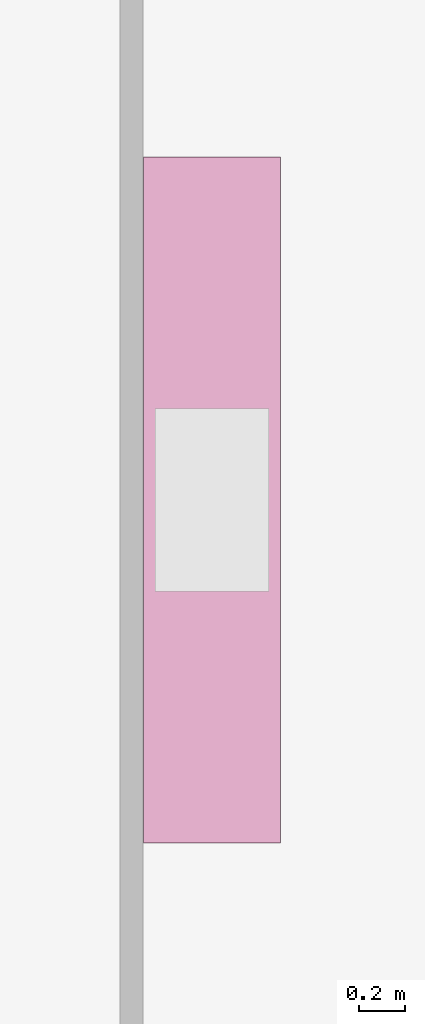
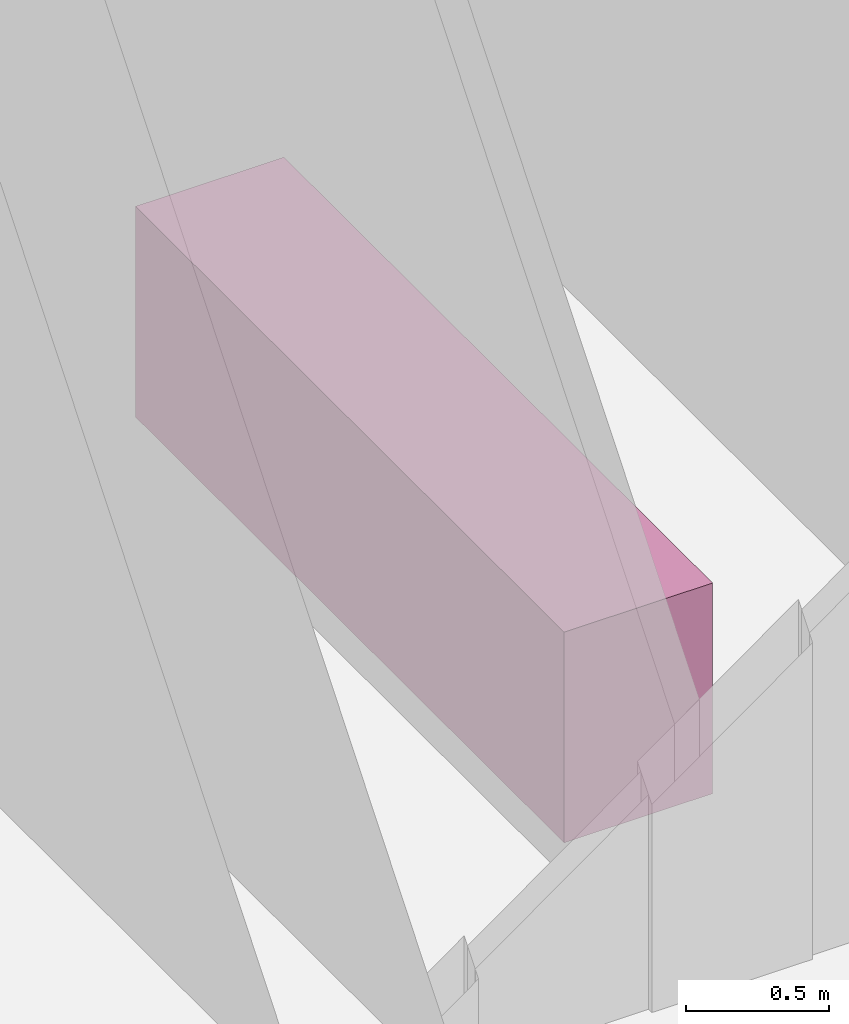
# One storey, part 17 of 17: 1 furniture element.
"""IFC4 building model written with IfcOpenShell, lengths in metres."""

from ifc_helpers import new_model, si_unit, direction, frame, origin, origin_2d, place, context, subcontext, project, spatial, rectangle, extrude, material, type_object, element, save


model = new_model("IFC4")

# Units and contexts
model_context = context("Model", 3, precision=1e-05, world=origin(), true_north=direction((0.0, 1.0)))
body_context = subcontext(model_context, "Body", "Model", "MODEL_VIEW")
ifc_project = project(units=[si_unit("LENGTHUNIT", "METRE"), si_unit("AREAUNIT", "SQUARE_METRE"), si_unit("VOLUMEUNIT", "CUBIC_METRE"), si_unit("PLANEANGLEUNIT", "RADIAN"), si_unit("MASSUNIT", "GRAM", prefix="KILO")], contexts=[model_context])

# Site, building, storey
site_placement = place(None, origin())
site = spatial("IfcSite", under=ifc_project, at=site_placement, CompositionType="ELEMENT")
building_placement = place(site_placement, origin())
building = spatial("IfcBuilding", under=site, at=building_placement, Name="Kvirike Care Tower", CompositionType="ELEMENT")
storey_placement = place(building_placement, frame((0.0, 0.0, 136.5)))
storey = spatial("IfcBuildingStorey", under=building, at=storey_placement, Name="L37", CompositionType="ELEMENT", Elevation=136.5)

# Furniture
ifc_material = material(Name="Laminated board", Category="wood")
furniture_type = type_object("IfcFurnitureType", Name="KITCHEN UNIT RUN 600", AssemblyPlace="FACTORY", PredefinedType="USERDEFINED", material=ifc_material)
furniture_placement = place(storey_placement, frame((16.052001953125, 39.60009765625, 0.0), z_axis=(0.0, 0.0, 1.0), x_axis=(0.0, 1.0, 0.0)))
element("IfcFurniture", 1, at=furniture_placement, inside=storey, type_object=furniture_type, Name="Kitchen unit run L37-019", ObjectType="KITCHEN UNIT", PredefinedType="USERDEFINED", context=body_context, shape_type="SweptSolid", body=[
    extrude(rectangle(XDim=3.0, YDim=0.60009765625, at=origin_2d()), origin(), (0.0, 0.0, 1.0), 0.89990234375),
])

save(model, "model.ifc")
